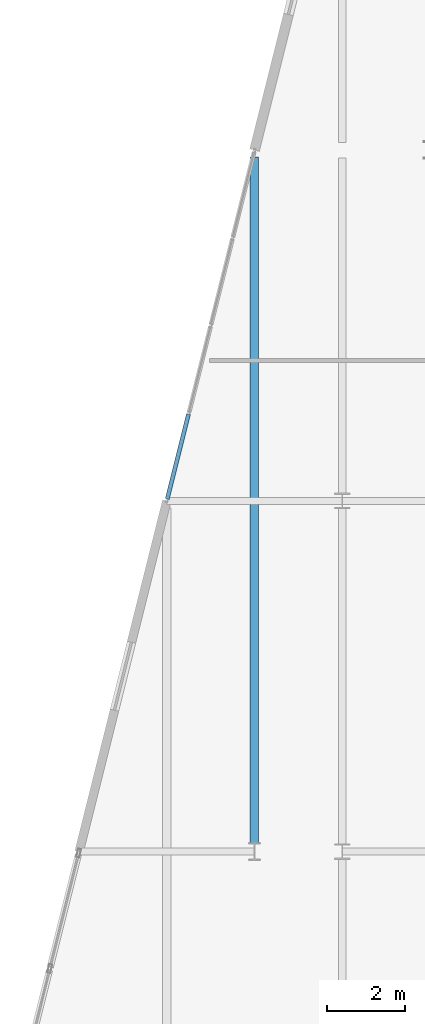
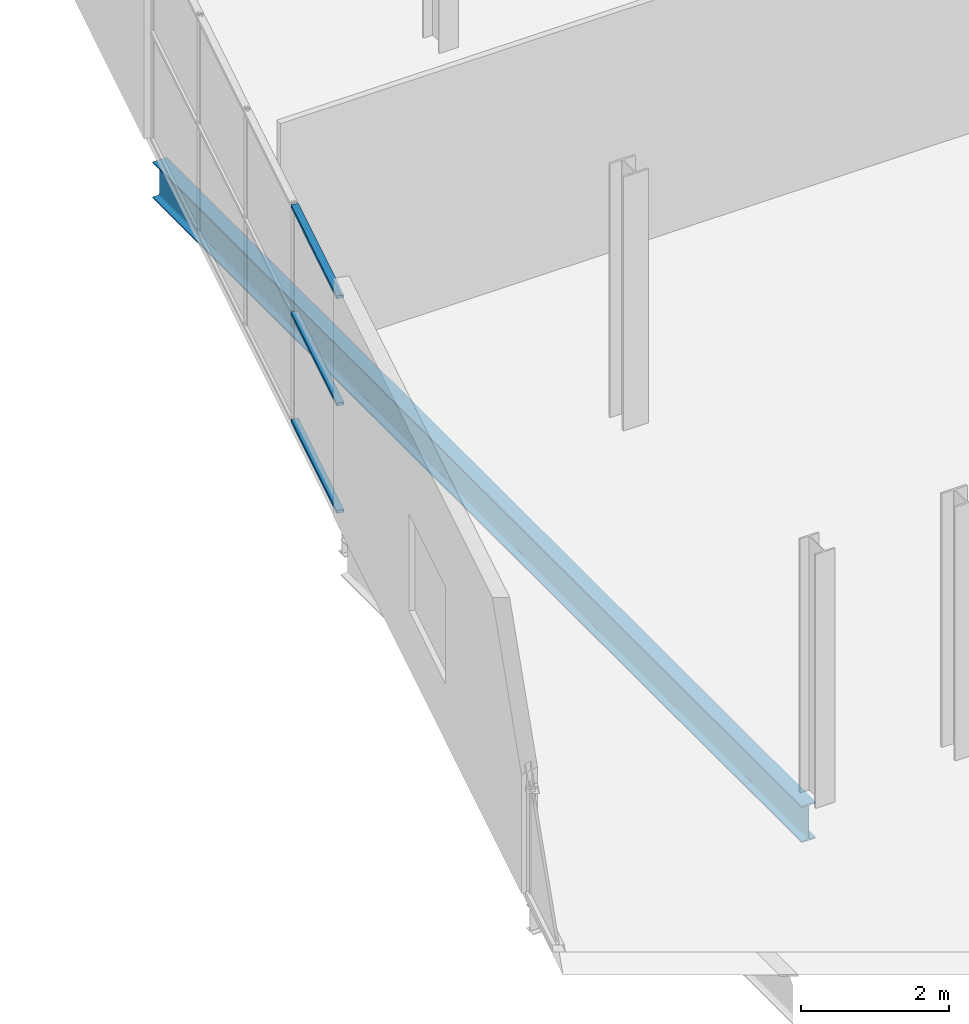
# One storey, part 52 of 132: 3 members, 1 beam, 1 element without a shape of its own.
"""IFC4 building model written with IfcOpenShell, lengths in metres."""

from ifc_helpers import new_model, si_unit, direction, frame, origin, origin_2d, place, context, subcontext, project, spatial, hollow_rectangle, i_section, extrude, material, layer, layer_set, material_profile, profile_set, type_object, element, aggregate, save


model = new_model("IFC4")

# Units and contexts
model_context = context("Model", 3, precision=1e-05, world=origin(), true_north=direction((0.0, 1.0)))
body_context = subcontext(model_context, "Body", "Model", "MODEL_VIEW")
ifc_project = project(units=[si_unit("LENGTHUNIT", "METRE"), si_unit("AREAUNIT", "SQUARE_METRE"), si_unit("VOLUMEUNIT", "CUBIC_METRE"), si_unit("PLANEANGLEUNIT", "RADIAN"), si_unit("MASSUNIT", "GRAM", prefix="KILO")], contexts=[model_context])

# Site, building, storey
site_placement = place(None, origin())
site = spatial("IfcSite", under=ifc_project, at=site_placement, CompositionType="ELEMENT")
building_placement = place(site_placement, origin())
building = spatial("IfcBuilding", under=site, at=building_placement, Name="Deido Ridge Mobility Hub", CompositionType="ELEMENT")
storey_placement = place(building_placement, frame((0.0, 0.0, 8.39990234375)))
storey = spatial("IfcBuildingStorey", under=building, at=storey_placement, Name="L02", CompositionType="ELEMENT", Elevation=8.39990234375)

# Beam
ifc_material_1 = material(Name="Steel S355J2 EN 10025-2", Category="steel")
ifc_material_profile_1 = material_profile(ifc_material_1, i_section(OverallWidth=0.219970703125, OverallDepth=0.60009765625, WebThickness=0.011962890625, FlangeThickness=0.01904296875, FilletRadius=0.02392578125, at=origin_2d()), Name="IPE 600")
ifc_profile_set_1 = profile_set([ifc_material_profile_1], Name="Steel S355J2 EN 10025-2")
beam_type = type_object("IfcBeamType", Name="BM-IPE600", PredefinedType="BEAM", material=ifc_profile_set_1)
beam_placement = place(storey_placement, frame((123.75, 9.22509765625, -0.554931640625), z_axis=(0.0, 1.0, 0.0), x_axis=(-1.0, 0.0, 0.0)))
element("IfcBeam", 1, at=beam_placement, inside=storey, type_object=beam_type, Name="Floor beam B1", PredefinedType="BEAM", context=body_context, shape_type="SweptSolid", body=[
    extrude(i_section(OverallWidth=0.219970703125, OverallDepth=0.60009765625, WebThickness=0.011962890625, FlangeThickness=0.01904296875, FilletRadius=0.02392578125, at=origin_2d()), origin(), (0.0, 0.0, 1.0), 17.594970703125),
])

# Curtain wall, members
ifc_material_2 = material(Name="Anodised aluminium EN AW-6063 T6", Category="aluminium")
ifc_layer = layer(ifc_material_2, 0.179931640625, Name="Anodised aluminium EN AW-6063 T6")
ifc_layer_set = layer_set([ifc_layer], Name="Anodised aluminium EN AW-6063 T6")
curtain_wall_type = type_object("IfcCurtainWallType", Name="CW-UF-2", PredefinedType="USERDEFINED", material=ifc_layer_set)
curtain_wall_placement = place(storey_placement, origin())
curtain_wall = element("IfcCurtainWall", 2, at=curtain_wall_placement, inside=storey, type_object=curtain_wall_type, Name="Unitised curtain wall CW2", ObjectType="UNITISED FACADE", PredefinedType="USERDEFINED")
ifc_material_profile_2 = material_profile(ifc_material_2, hollow_rectangle(XDim=0.10498046875, YDim=0.050048828125, WallThickness=0.00390625, at=origin_2d()), Name="RHS 105x50x4")
ifc_profile_set_2 = profile_set([ifc_material_profile_2], Name="Anodised aluminium EN AW-6063 T6")
member_type = type_object("IfcMemberType", Name="MEM-TRN-105X50", PredefinedType="USERDEFINED", material=ifc_profile_set_2)
member_1_placement = place(storey_placement, frame((121.51220703125, 18.048583984375, 0.025146484375), z_axis=(0.242484431195, 0.970155297171, 0.0), x_axis=(-0.970155297171, 0.242484431195, 0.0)))
member_1 = element("IfcMember", 3, at=member_1_placement, type_object=member_type, Name="CW2 transom 1.1", ObjectType="TRANSOM", PredefinedType="USERDEFINED", context=body_context, shape_type="SweptSolid", body=[
    extrude(hollow_rectangle(XDim=0.10498046875, YDim=0.050048828125, WallThickness=0.00390625, at=origin_2d()), origin(), (0.0, 0.0, 1.0), 2.244140625),
])
member_2_placement = place(storey_placement, frame((121.51220703125, 18.048583984375, 1.800048828125), z_axis=(0.242484431195, 0.970155297171, 0.0), x_axis=(-0.970155297171, 0.242484431195, 0.0)))
member_2 = element("IfcMember", 4, at=member_2_placement, type_object=member_type, Name="CW2 transom 1.2", ObjectType="TRANSOM", PredefinedType="USERDEFINED", context=body_context, shape_type="SweptSolid", body=[
    extrude(hollow_rectangle(XDim=0.10498046875, YDim=0.050048828125, WallThickness=0.00390625, at=origin_2d()), origin(), (0.0, 0.0, 1.0), 2.244140625),
])
member_3_placement = place(storey_placement, frame((121.51220703125, 18.048583984375, 3.5751953125), z_axis=(0.242484431195, 0.970155297171, 0.0), x_axis=(-0.970155297171, 0.242484431195, 0.0)))
member_3 = element("IfcMember", 5, at=member_3_placement, type_object=member_type, Name="CW2 transom 1.3", ObjectType="TRANSOM", PredefinedType="USERDEFINED", context=body_context, shape_type="SweptSolid", body=[
    extrude(hollow_rectangle(XDim=0.10498046875, YDim=0.050048828125, WallThickness=0.00390625, at=origin_2d()), origin(), (0.0, 0.0, 1.0), 2.244140625),
])
aggregate(curtain_wall, [member_1, member_2, member_3])

save(model, "model.ifc")
